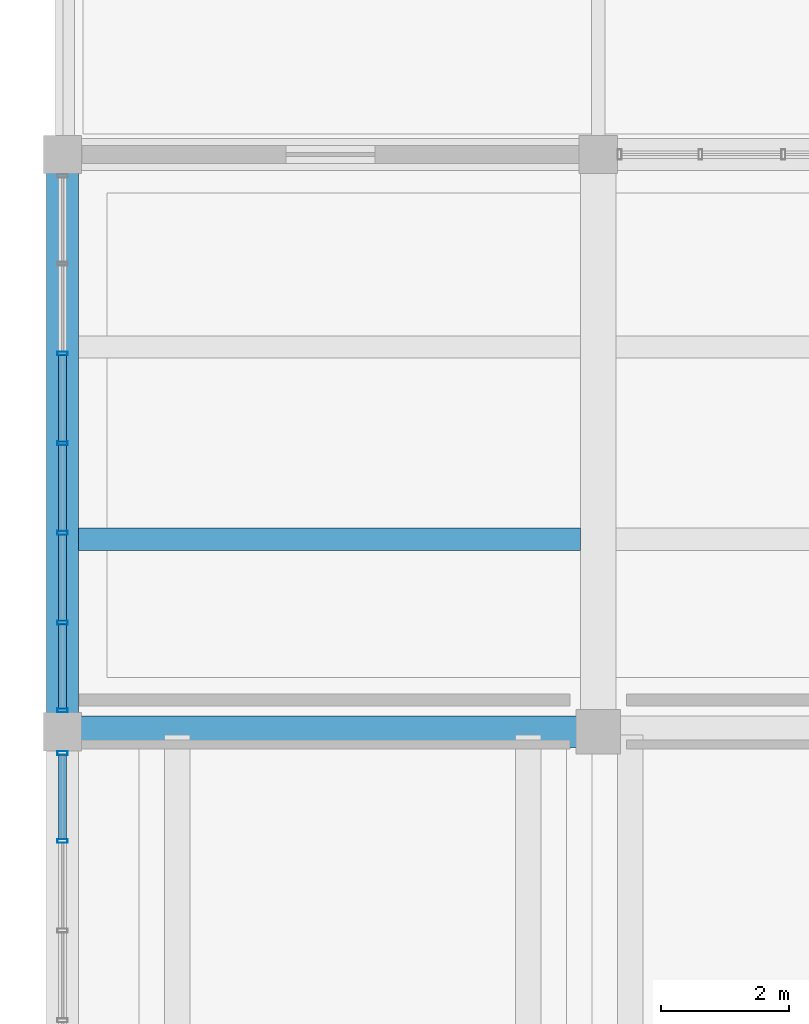
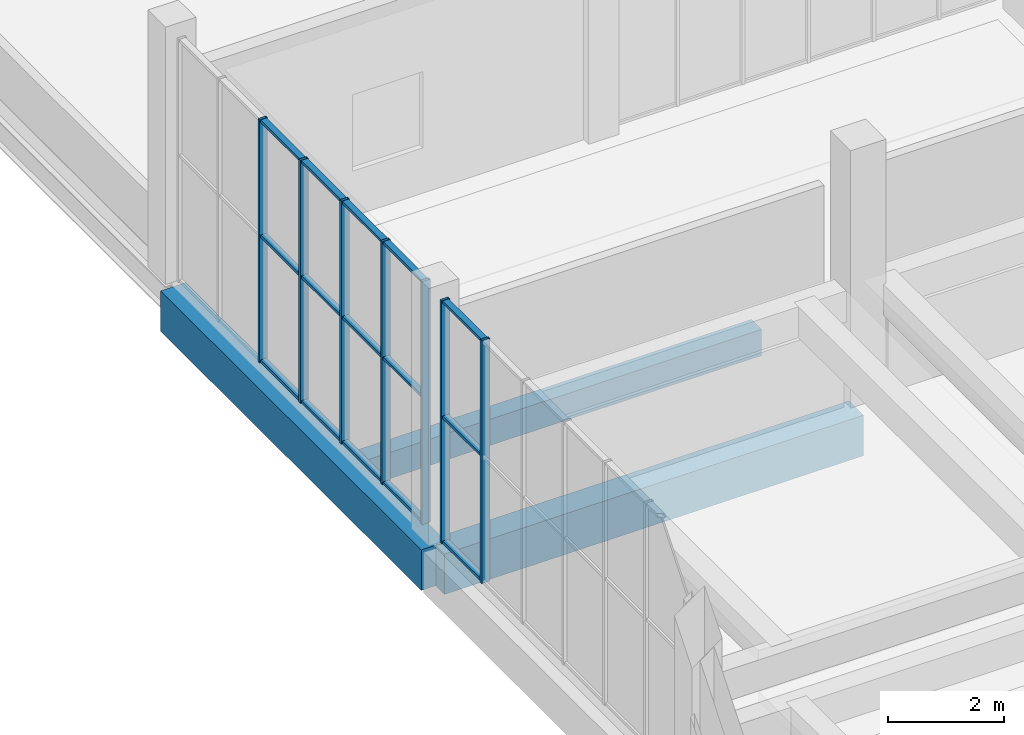
# One storey, part 46 of 132: 22 members, 3 beams, 2 elements without a shape of their own.
"""IFC4 building model written with IfcOpenShell, lengths in metres."""

from ifc_helpers import new_model, si_unit, direction, frame, origin, origin_2d, place, context, subcontext, project, spatial, rectangle, hollow_rectangle, extrude, material, material_profile, profile_set, type_object, element, aggregate, save


model = new_model("IFC4")

# Units and contexts
model_context = context("Model", 3, precision=1e-05, world=origin(), true_north=direction((0.0, 1.0)))
body_context = subcontext(model_context, "Body", "Model", "MODEL_VIEW")
ifc_project = project(units=[si_unit("LENGTHUNIT", "METRE"), si_unit("AREAUNIT", "SQUARE_METRE"), si_unit("VOLUMEUNIT", "CUBIC_METRE"), si_unit("PLANEANGLEUNIT", "RADIAN"), si_unit("MASSUNIT", "GRAM", prefix="KILO")], contexts=[model_context])

# Site, building, storey
site_placement = place(None, origin())
site = spatial("IfcSite", under=ifc_project, at=site_placement, CompositionType="ELEMENT")
building_placement = place(site_placement, origin())
building = spatial("IfcBuilding", under=site, at=building_placement, Name="Khurvash Pelagic Aquarium", CompositionType="ELEMENT")
storey_placement = place(building_placement, frame((0.0, 0.0, 5.39990234375)))
storey = spatial("IfcBuildingStorey", under=building, at=storey_placement, Name="L01", CompositionType="ELEMENT", Elevation=5.39990234375)

# Beam
ifc_material_1 = material(Name="Concrete C40/50", Category="concrete")
ifc_material_profile_1 = material_profile(ifc_material_1, rectangle(XDim=0.5, YDim=0.85009765625, at=origin_2d()), Name="RC500X850")
ifc_profile_set_1 = profile_set([ifc_material_profile_1], Name="Concrete C40/50")
beam_type_1 = type_object("IfcBeamType", Name="BM-03", PredefinedType="BEAM", material=ifc_profile_set_1)
beam_1_placement = place(storey_placement, frame((0.0400390625, 84.050048828125, -0.744873046875), z_axis=(1.0, 0.0, 0.0), x_axis=(0.0, 1.0, 0.0)))
element("IfcBeam", 1, at=beam_1_placement, inside=storey, type_object=beam_type_1, Name="L01 Primary Girder BM-03 00306", PredefinedType="BEAM", context=body_context, shape_type="SweptSolid", body=[
    extrude(rectangle(XDim=0.5, YDim=0.85009765625, at=origin_2d()), origin(), (0.0, 0.0, 1.0), 8.320068359375),
])

# Curtain wall, members
ifc_material_2 = material(Name="Anodised aluminium and low-E laminated glass", Category="aluminium")
curtain_wall_type = type_object("IfcCurtainWallType", Name="CW-06", PredefinedType="USERDEFINED", material=ifc_material_2)
curtain_wall_1_placement = place(storey_placement, origin())
curtain_wall_1 = element("IfcCurtainWall", 2, at=curtain_wall_1_placement, inside=storey, type_object=curtain_wall_type, Name="L01 Facade Unitised Curtain Wall CW-06 0124", ObjectType="UNITISED CURTAIN WALL", PredefinedType="USERDEFINED")
ifc_material_3 = material(Name="Extruded aluminium AW-6063-T6", Category="aluminium")
ifc_material_profile_2 = material_profile(ifc_material_3, hollow_rectangle(XDim=0.06005859375, YDim=0.159912109375, WallThickness=0.00390625, at=origin_2d()), Name="CWM60X160X4")
ifc_profile_set_2 = profile_set([ifc_material_profile_2], Name="Extruded aluminium AW-6063-T6")
member_type_1 = type_object("IfcMemberType", Name="CM-02", PredefinedType="MULLION", material=ifc_profile_set_2)
member_1_placement = place(storey_placement, frame((0.0, 89.981689453125, 0.0), z_axis=(0.0, 0.0, 1.0), x_axis=(0.0, -1.0, 0.0)))
member_1 = element("IfcMember", 3, at=member_1_placement, type_object=member_type_1, Name="CW-06 mullion 3", PredefinedType="MULLION", context=body_context, shape_type="SweptSolid", body=[
    extrude(hollow_rectangle(XDim=0.06005859375, YDim=0.159912109375, WallThickness=0.00390625, at=origin_2d()), origin(), (0.0, 0.0, 1.0), 5.10009765625),
])
member_2_placement = place(storey_placement, frame((0.0, 88.574951171875, 0.0), z_axis=(0.0, 0.0, 1.0), x_axis=(0.0, -1.0, 0.0)))
member_2 = element("IfcMember", 4, at=member_2_placement, type_object=member_type_1, Name="CW-06 mullion 4", PredefinedType="MULLION", context=body_context, shape_type="SweptSolid", body=[
    extrude(hollow_rectangle(XDim=0.06005859375, YDim=0.159912109375, WallThickness=0.00390625, at=origin_2d()), origin(), (0.0, 0.0, 1.0), 5.10009765625),
])
member_3_placement = place(storey_placement, frame((0.0, 87.168212890625, 0.0), z_axis=(0.0, 0.0, 1.0), x_axis=(0.0, -1.0, 0.0)))
member_3 = element("IfcMember", 5, at=member_3_placement, type_object=member_type_1, Name="CW-06 mullion 5", PredefinedType="MULLION", context=body_context, shape_type="SweptSolid", body=[
    extrude(hollow_rectangle(XDim=0.06005859375, YDim=0.159912109375, WallThickness=0.00390625, at=origin_2d()), origin(), (0.0, 0.0, 1.0), 5.10009765625),
])
member_4_placement = place(storey_placement, frame((0.0, 85.76171875, 0.0), z_axis=(0.0, 0.0, 1.0), x_axis=(0.0, -1.0, 0.0)))
member_4 = element("IfcMember", 6, at=member_4_placement, type_object=member_type_1, Name="CW-06 mullion 6", PredefinedType="MULLION", context=body_context, shape_type="SweptSolid", body=[
    extrude(hollow_rectangle(XDim=0.06005859375, YDim=0.159912109375, WallThickness=0.00390625, at=origin_2d()), origin(), (0.0, 0.0, 1.0), 5.10009765625),
])
member_5_placement = place(storey_placement, frame((0.0, 84.385009765625, 0.0), z_axis=(0.0, 0.0, 1.0), x_axis=(0.0, -1.0, 0.0)))
member_5 = element("IfcMember", 7, at=member_5_placement, type_object=member_type_1, Name="CW-06 mullion 7", PredefinedType="MULLION", context=body_context, shape_type="SweptSolid", body=[
    extrude(hollow_rectangle(XDim=0.06005859375, YDim=0.159912109375, WallThickness=0.00390625, at=origin_2d()), origin(), (0.0, 0.0, 1.0), 5.10009765625),
])

curtain_wall_2_placement = place(storey_placement, origin())
curtain_wall_2 = element("IfcCurtainWall", 8, at=curtain_wall_2_placement, inside=storey, type_object=curtain_wall_type, Name="L01 Facade Unitised Curtain Wall CW-06 0125", ObjectType="UNITISED CURTAIN WALL", PredefinedType="USERDEFINED")
member_6_placement = place(storey_placement, frame((0.0, 83.715087890625, 0.0), z_axis=(0.0, 0.0, 1.0), x_axis=(0.0, -1.0, 0.0)))
member_6 = element("IfcMember", 9, at=member_6_placement, type_object=member_type_1, Name="CW-06 mullion 1", PredefinedType="MULLION", context=body_context, shape_type="SweptSolid", body=[
    extrude(hollow_rectangle(XDim=0.06005859375, YDim=0.159912109375, WallThickness=0.00390625, at=origin_2d()), origin(), (0.0, 0.0, 1.0), 5.10009765625),
])
member_7_placement = place(storey_placement, frame((0.0, 82.33837890625, 0.0), z_axis=(0.0, 0.0, 1.0), x_axis=(0.0, -1.0, 0.0)))
member_7 = element("IfcMember", 10, at=member_7_placement, type_object=member_type_1, Name="CW-06 mullion 2", PredefinedType="MULLION", context=body_context, shape_type="SweptSolid", body=[
    extrude(hollow_rectangle(XDim=0.06005859375, YDim=0.159912109375, WallThickness=0.00390625, at=origin_2d()), origin(), (0.0, 0.0, 1.0), 5.10009765625),
])

# Member
ifc_material_profile_3 = material_profile(ifc_material_3, hollow_rectangle(XDim=0.1201171875, YDim=0.06005859375, WallThickness=0.00390625, at=origin_2d()), Name="CWT120X60X4")
ifc_profile_set_3 = profile_set([ifc_material_profile_3], Name="Extruded aluminium AW-6063-T6")
member_type_2 = type_object("IfcMemberType", Name="CT-02", PredefinedType="USERDEFINED", material=ifc_profile_set_3)
member_8_placement = place(storey_placement, frame((0.0, 89.95166015625, 0.030029296875), z_axis=(0.0, -1.0, 0.0), x_axis=(1.0, 0.0, 0.0)))
member_8 = element("IfcMember", 11, at=member_8_placement, type_object=member_type_2, Name="CW-06 transom 3.1", ObjectType="TRANSOM", PredefinedType="USERDEFINED", context=body_context, shape_type="SweptSolid", body=[
    extrude(hollow_rectangle(XDim=0.1201171875, YDim=0.06005859375, WallThickness=0.00390625, at=origin_2d()), origin(), (0.0, 0.0, 1.0), 1.3466796875),
])

member_9_placement = place(storey_placement, frame((0.0, 89.95166015625, 2.652099609375), z_axis=(0.0, -1.0, 0.0), x_axis=(1.0, 0.0, 0.0)))
member_9 = element("IfcMember", 12, at=member_9_placement, type_object=member_type_2, Name="CW-06 transom 3.2", ObjectType="TRANSOM", PredefinedType="USERDEFINED", context=body_context, shape_type="SweptSolid", body=[
    extrude(hollow_rectangle(XDim=0.1201171875, YDim=0.06005859375, WallThickness=0.00390625, at=origin_2d()), origin(), (0.0, 0.0, 1.0), 1.3466796875),
])

member_10_placement = place(storey_placement, frame((0.0, 89.95166015625, 5.070068359375), z_axis=(0.0, -1.0, 0.0), x_axis=(1.0, 0.0, 0.0)))
member_10 = element("IfcMember", 13, at=member_10_placement, type_object=member_type_2, Name="CW-06 transom 3.3", ObjectType="TRANSOM", PredefinedType="USERDEFINED", context=body_context, shape_type="SweptSolid", body=[
    extrude(hollow_rectangle(XDim=0.1201171875, YDim=0.06005859375, WallThickness=0.00390625, at=origin_2d()), origin(), (0.0, 0.0, 1.0), 1.3466796875),
])

member_11_placement = place(storey_placement, frame((0.0, 88.544921875, 0.030029296875), z_axis=(0.0, -1.0, 0.0), x_axis=(1.0, 0.0, 0.0)))
member_11 = element("IfcMember", 14, at=member_11_placement, type_object=member_type_2, Name="CW-06 transom 4.1", ObjectType="TRANSOM", PredefinedType="USERDEFINED", context=body_context, shape_type="SweptSolid", body=[
    extrude(hollow_rectangle(XDim=0.1201171875, YDim=0.06005859375, WallThickness=0.00390625, at=origin_2d()), origin(), (0.0, 0.0, 1.0), 1.3466796875),
])

member_12_placement = place(storey_placement, frame((0.0, 88.544921875, 2.652099609375), z_axis=(0.0, -1.0, 0.0), x_axis=(1.0, 0.0, 0.0)))
member_12 = element("IfcMember", 15, at=member_12_placement, type_object=member_type_2, Name="CW-06 transom 4.2", ObjectType="TRANSOM", PredefinedType="USERDEFINED", context=body_context, shape_type="SweptSolid", body=[
    extrude(hollow_rectangle(XDim=0.1201171875, YDim=0.06005859375, WallThickness=0.00390625, at=origin_2d()), origin(), (0.0, 0.0, 1.0), 1.3466796875),
])

member_13_placement = place(storey_placement, frame((0.0, 88.544921875, 5.070068359375), z_axis=(0.0, -1.0, 0.0), x_axis=(1.0, 0.0, 0.0)))
member_13 = element("IfcMember", 16, at=member_13_placement, type_object=member_type_2, Name="CW-06 transom 4.3", ObjectType="TRANSOM", PredefinedType="USERDEFINED", context=body_context, shape_type="SweptSolid", body=[
    extrude(hollow_rectangle(XDim=0.1201171875, YDim=0.06005859375, WallThickness=0.00390625, at=origin_2d()), origin(), (0.0, 0.0, 1.0), 1.3466796875),
])

member_14_placement = place(storey_placement, frame((0.0, 87.138427734375, 0.030029296875), z_axis=(0.0, -1.0, 0.0), x_axis=(1.0, 0.0, 0.0)))
member_14 = element("IfcMember", 17, at=member_14_placement, type_object=member_type_2, Name="CW-06 transom 5.1", ObjectType="TRANSOM", PredefinedType="USERDEFINED", context=body_context, shape_type="SweptSolid", body=[
    extrude(hollow_rectangle(XDim=0.1201171875, YDim=0.06005859375, WallThickness=0.00390625, at=origin_2d()), origin(), (0.0, 0.0, 1.0), 1.3466796875),
])

member_15_placement = place(storey_placement, frame((0.0, 87.138427734375, 2.652099609375), z_axis=(0.0, -1.0, 0.0), x_axis=(1.0, 0.0, 0.0)))
member_15 = element("IfcMember", 18, at=member_15_placement, type_object=member_type_2, Name="CW-06 transom 5.2", ObjectType="TRANSOM", PredefinedType="USERDEFINED", context=body_context, shape_type="SweptSolid", body=[
    extrude(hollow_rectangle(XDim=0.1201171875, YDim=0.06005859375, WallThickness=0.00390625, at=origin_2d()), origin(), (0.0, 0.0, 1.0), 1.3466796875),
])

member_16_placement = place(storey_placement, frame((0.0, 87.138427734375, 5.070068359375), z_axis=(0.0, -1.0, 0.0), x_axis=(1.0, 0.0, 0.0)))
member_16 = element("IfcMember", 19, at=member_16_placement, type_object=member_type_2, Name="CW-06 transom 5.3", ObjectType="TRANSOM", PredefinedType="USERDEFINED", context=body_context, shape_type="SweptSolid", body=[
    extrude(hollow_rectangle(XDim=0.1201171875, YDim=0.06005859375, WallThickness=0.00390625, at=origin_2d()), origin(), (0.0, 0.0, 1.0), 1.3466796875),
])

member_17_placement = place(storey_placement, frame((0.0, 85.731689453125, 0.030029296875), z_axis=(0.0, -1.0, 0.0), x_axis=(1.0, 0.0, 0.0)))
member_17 = element("IfcMember", 20, at=member_17_placement, type_object=member_type_2, Name="CW-06 transom 6.1", ObjectType="TRANSOM", PredefinedType="USERDEFINED", context=body_context, shape_type="SweptSolid", body=[
    extrude(hollow_rectangle(XDim=0.1201171875, YDim=0.06005859375, WallThickness=0.00390625, at=origin_2d()), origin(), (0.0, 0.0, 1.0), 1.316650390625),
])

member_18_placement = place(storey_placement, frame((0.0, 85.731689453125, 2.652099609375), z_axis=(0.0, -1.0, 0.0), x_axis=(1.0, 0.0, 0.0)))
member_18 = element("IfcMember", 21, at=member_18_placement, type_object=member_type_2, Name="CW-06 transom 6.2", ObjectType="TRANSOM", PredefinedType="USERDEFINED", context=body_context, shape_type="SweptSolid", body=[
    extrude(hollow_rectangle(XDim=0.1201171875, YDim=0.06005859375, WallThickness=0.00390625, at=origin_2d()), origin(), (0.0, 0.0, 1.0), 1.316650390625),
])

member_19_placement = place(storey_placement, frame((0.0, 85.731689453125, 5.070068359375), z_axis=(0.0, -1.0, 0.0), x_axis=(1.0, 0.0, 0.0)))
member_19 = element("IfcMember", 22, at=member_19_placement, type_object=member_type_2, Name="CW-06 transom 6.3", ObjectType="TRANSOM", PredefinedType="USERDEFINED", context=body_context, shape_type="SweptSolid", body=[
    extrude(hollow_rectangle(XDim=0.1201171875, YDim=0.06005859375, WallThickness=0.00390625, at=origin_2d()), origin(), (0.0, 0.0, 1.0), 1.316650390625),
])

aggregate(curtain_wall_1, [member_1, member_2, member_3, member_4, member_5, member_8, member_9, member_10, member_11, member_12, member_13, member_14, member_15, member_16, member_17, member_18, member_19])

member_20_placement = place(storey_placement, frame((0.0, 83.68505859375, 0.030029296875), z_axis=(0.0, -1.0, 0.0), x_axis=(1.0, 0.0, 0.0)))
member_20 = element("IfcMember", 23, at=member_20_placement, type_object=member_type_2, Name="CW-06 transom 1.1", ObjectType="TRANSOM", PredefinedType="USERDEFINED", context=body_context, shape_type="SweptSolid", body=[
    extrude(hollow_rectangle(XDim=0.1201171875, YDim=0.06005859375, WallThickness=0.00390625, at=origin_2d()), origin(), (0.0, 0.0, 1.0), 1.316650390625),
])

member_21_placement = place(storey_placement, frame((0.0, 83.68505859375, 2.652099609375), z_axis=(0.0, -1.0, 0.0), x_axis=(1.0, 0.0, 0.0)))
member_21 = element("IfcMember", 24, at=member_21_placement, type_object=member_type_2, Name="CW-06 transom 1.2", ObjectType="TRANSOM", PredefinedType="USERDEFINED", context=body_context, shape_type="SweptSolid", body=[
    extrude(hollow_rectangle(XDim=0.1201171875, YDim=0.06005859375, WallThickness=0.00390625, at=origin_2d()), origin(), (0.0, 0.0, 1.0), 1.316650390625),
])

member_22_placement = place(storey_placement, frame((0.0, 83.68505859375, 5.070068359375), z_axis=(0.0, -1.0, 0.0), x_axis=(1.0, 0.0, 0.0)))
member_22 = element("IfcMember", 25, at=member_22_placement, type_object=member_type_2, Name="CW-06 transom 1.3", ObjectType="TRANSOM", PredefinedType="USERDEFINED", context=body_context, shape_type="SweptSolid", body=[
    extrude(hollow_rectangle(XDim=0.1201171875, YDim=0.06005859375, WallThickness=0.00390625, at=origin_2d()), origin(), (0.0, 0.0, 1.0), 1.316650390625),
])

aggregate(curtain_wall_2, [member_6, member_7, member_20, member_21, member_22])

# Beams
ifc_material_4 = material(Name="Concrete C35/45", Category="concrete")
ifc_material_profile_4 = material_profile(ifc_material_4, rectangle(XDim=0.35009765625, YDim=0.550048828125, at=origin_2d()), Name="RC350X550")
ifc_profile_set_4 = profile_set([ifc_material_profile_4], Name="Concrete C35/45")
beam_type_2 = type_object("IfcBeamType", Name="JS-01", PredefinedType="JOIST", material=ifc_profile_set_4)
beam_2_placement = place(storey_placement, frame((0.25, 87.06689453125, -0.5849609375), z_axis=(1.0, 0.0, 0.0), x_axis=(0.0, 1.0, 0.0)))
element("IfcBeam", 26, at=beam_2_placement, inside=storey, type_object=beam_type_2, Name="L01 Floor Joist JS-01 00442", PredefinedType="JOIST", context=body_context, shape_type="SweptSolid", body=[
    extrude(rectangle(XDim=0.35009765625, YDim=0.550048828125, at=origin_2d()), origin(), (0.0, 0.0, 1.0), 7.875),
])
ifc_material_profile_5 = material_profile(ifc_material_1, rectangle(XDim=0.5, YDim=0.85009765625, at=origin_2d()), Name="RC500X850")
ifc_profile_set_5 = profile_set([ifc_material_profile_5], Name="Concrete C40/50")
beam_type_3 = type_object("IfcBeamType", Name="SEB-03", PredefinedType="SPANDREL", material=ifc_profile_set_5)
beam_3_placement = place(storey_placement, frame((0.0, 84.090087890625, -0.73486328125), z_axis=(0.0, 1.0, 0.0), x_axis=(-1.0, 0.0, 0.0)))
element("IfcBeam", 27, at=beam_3_placement, inside=storey, type_object=beam_type_3, Name="L01 Primary Girder SEB-03 00350", PredefinedType="SPANDREL", context=body_context, shape_type="SweptSolid", body=[
    extrude(rectangle(XDim=0.5, YDim=0.85009765625, at=origin_2d()), origin(), (0.0, 0.0, 1.0), 8.969970703125),
])

save(model, "model.ifc")
